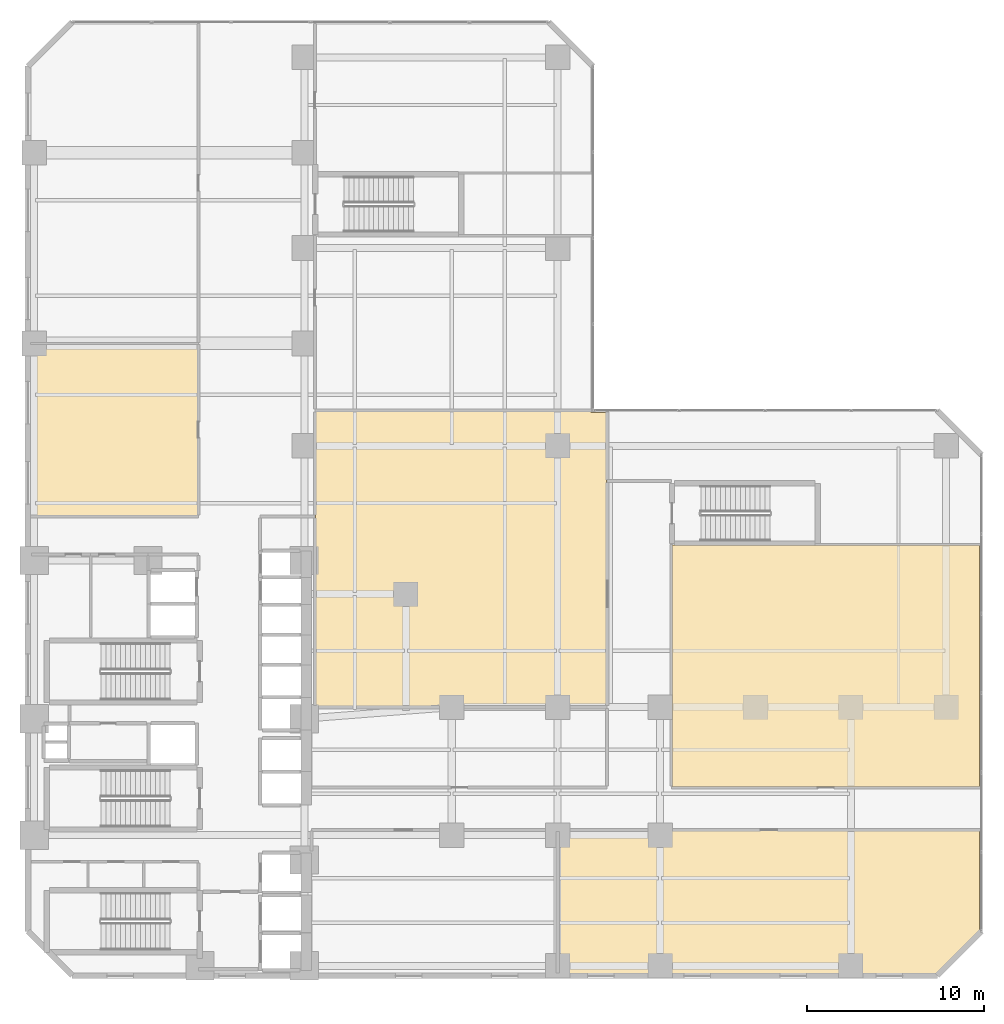
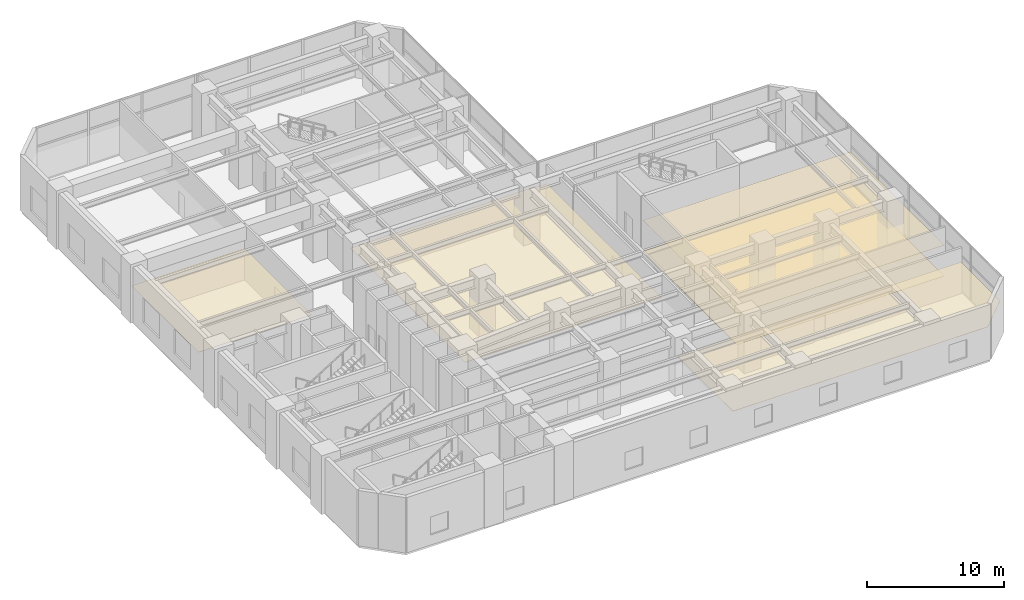
# One storey, part 19 of 22: 5 coverings.
"""IFC4 building model written with IfcOpenShell, lengths in metres."""

import ifcopenshell
import ifcopenshell.guid

model = None  # the IFC model being written
_history = None  # IfcOwnerHistory: only IFC2X3 demands one
_inside = {}  # id of a spatial element -> (the spatial element, [elements in it])
_under = {}  # id of a project, library or spatial element -> (it, [spatial elements below it])
_declared = {}  # id of a project -> (the project, [libraries it declares])
_typed = {}  # id of a type object -> (the type object, [elements of that type])
_made_of = {}  # id of a material, layer set ... -> (it, [elements and type objects made of it])


def new_model(schema):
    """Start an empty IFC model of exactly this schema.

    Asked for "IFC4X3", IfcOpenShell would pick the latest addendum, in which some entities
    have other attributes; the version numbers below select the first issue.
    IFC2X3 requires an IfcOwnerHistory on every rooted entity: one is made here for all.
    """
    global model, _history
    if schema == "IFC4X3":
        model = ifcopenshell.file(schema_version=(4, 3, 0, 0))
    else:
        model = ifcopenshell.file(schema=schema)
    _inside.clear()
    _under.clear()
    _declared.clear()
    _typed.clear()
    _made_of.clear()
    _history = None
    if model.schema == "IFC2X3":
        org = make("IfcOrganization", Name="unknown")
        user = make(
            "IfcPersonAndOrganization",
            ThePerson=make("IfcPerson", FamilyName="unknown"),
            TheOrganization=org,
        )
        app = make(
            "IfcApplication",
            ApplicationDeveloper=org,
            Version="unknown",
            ApplicationFullName="unknown",
            ApplicationIdentifier="unknown",
        )
        _history = make(
            "IfcOwnerHistory",
            OwningUser=user,
            OwningApplication=app,
            ChangeAction="ADDED",
            CreationDate=0,
        )
    return model


def make(cls, **values):
    """One entity of the class cls with the attributes given. An attribute that is None is left unset."""
    return model.create_entity(
        cls, **{name: value for name, value in values.items() if value is not None}
    )


def rooted(cls, **values):
    """An entity with a GlobalId (a new one), such as an element, a storey or a relation."""
    return make(cls, GlobalId=ifcopenshell.guid.new(), OwnerHistory=_history, **values)


def si_unit(unit_type, name, prefix=None):
    """IfcSIUnit, for example si_unit("LENGTHUNIT", "METRE", prefix="MILLI")."""
    return make("IfcSIUnit", UnitType=unit_type, Prefix=prefix, Name=name)


def assignment(units):
    """IfcUnitAssignment: the units of a project."""
    return None if units is None else make("IfcUnitAssignment", Units=units)


def point(xyz):
    """IfcCartesianPoint."""
    return None if xyz is None else make("IfcCartesianPoint", Coordinates=xyz)


def direction(xyz):
    """IfcDirection."""
    return None if xyz is None else make("IfcDirection", DirectionRatios=xyz)


def frame(location, z_axis=None, x_axis=None):
    """IfcAxis2Placement3D, a coordinate frame: its origin and axes. An axis left out is left unset."""
    return make(
        "IfcAxis2Placement3D",
        Location=point(location),
        Axis=direction(z_axis),
        RefDirection=direction(x_axis),
    )


def origin():
    """The frame at (0, 0, 0) with its axes left unset."""
    return frame((0.0, 0.0, 0.0))


def place(relative_to, where):
    """IfcLocalPlacement: puts the frame where relative to a parent placement (None: the world)."""
    return make(
        "IfcLocalPlacement", PlacementRelTo=relative_to, RelativePlacement=where
    )


def context(
    kind, dimensions, precision=None, world=None, true_north=None, identifier=None
):
    """IfcGeometricRepresentationContext, for example the 3D "Model" context."""
    return make(
        "IfcGeometricRepresentationContext",
        ContextIdentifier=identifier,
        ContextType=kind,
        CoordinateSpaceDimension=dimensions,
        Precision=precision,
        WorldCoordinateSystem=world,
        TrueNorth=true_north,
    )


def subcontext(parent, identifier, kind, view, scale=None):
    """IfcGeometricRepresentationSubContext, for example "Body" below "Model"."""
    return make(
        "IfcGeometricRepresentationSubContext",
        ContextIdentifier=identifier,
        ContextType=kind,
        ParentContext=parent,
        TargetScale=scale,
        TargetView=view,
    )


def project(units=None, contexts=None):
    """IfcProject with its units and contexts."""
    return rooted(
        "IfcProject",
        Name="project",
        RepresentationContexts=contexts,
        UnitsInContext=assignment(units),
    )


def spatial(cls, under=None, at=None, **own):
    """A site, building, storey or space (cls), placed at a placement, below another one or the project."""
    s = rooted(cls, ObjectPlacement=at, **own)
    if under is not None:
        _under.setdefault(under.id(), (under, []))[1].append(s)
    return s


def polyline(points):
    """IfcPolyline through the points."""
    return make("IfcPolyline", Points=[point(p) for p in points])


def outline(outer, holes=None, kind="AREA"):
    """IfcArbitraryClosedProfileDef: a profile drawn as a closed curve; with holes, ...WithVoids."""
    if holes is None:
        return make("IfcArbitraryClosedProfileDef", ProfileType=kind, OuterCurve=outer)
    return make(
        "IfcArbitraryProfileDefWithVoids",
        ProfileType=kind,
        OuterCurve=outer,
        InnerCurves=holes,
    )


def extrude(swept, where, along, depth):
    """IfcExtrudedAreaSolid: the profile swept, set in the frame where, extruded along a direction by depth."""
    return make(
        "IfcExtrudedAreaSolid",
        SweptArea=swept,
        Position=where,
        ExtrudedDirection=direction(along),
        Depth=depth,
    )


def shape(context_of_items, identifier, shape_type, items):
    """IfcShapeRepresentation: the items that make up one representation, for example the "Body"."""
    return make(
        "IfcShapeRepresentation",
        ContextOfItems=context_of_items,
        RepresentationIdentifier=identifier,
        RepresentationType=shape_type,
        Items=items,
    )


def material(Name=None, Category=None):
    """IfcMaterial."""
    return make("IfcMaterial", Name=Name, Category=Category)


def layer(
    of_material, thickness, ventilated=None, Name=None, Category=None, Priority=None
):
    """IfcMaterialLayer: one layer of a wall or slab, of a material (None: an air gap)."""
    return make(
        "IfcMaterialLayer",
        Material=of_material,
        LayerThickness=thickness,
        IsVentilated=ventilated,
        Name=Name,
        Category=Category,
        Priority=Priority,
    )


def layer_set(layers, Name=None):
    """IfcMaterialLayerSet."""
    return make("IfcMaterialLayerSet", MaterialLayers=layers, LayerSetName=Name)


def made_of(thing, what):
    """Note that an element or type object is made of a material, layer set ...; save() writes the relation."""
    if what is not None:
        _made_of.setdefault(what.id(), (what, []))[1].append(thing)
    return thing


def type_object(cls, material=None, **own):
    """A type object (cls), such as IfcWallType, which elements share."""
    return made_of(rooted(cls, **own), material)


def element(
    cls,
    number,
    at=None,
    inside=None,
    cuts=None,
    type_object=None,
    material=None,
    context=None,
    identifier="Body",
    shape_type=None,
    held_by="IfcProductDefinitionShape",
    body=None,
    shapes=None,
    **own,
):
    """One element of the class cls, such as IfcWall. Its Tag is "e" and its number.

    at: its placement. inside: the storey or other place that contains it. cuts: it is an
    opening in that element (IfcRelVoidsElement). A single representation is given by context,
    identifier, shape_type and body (its items); several are given by shapes. held_by: the class
    of the entity that holds the representations. save() writes the other relations.
    """
    e = rooted(cls, Tag="e%d" % number, ObjectPlacement=at, **own)
    if body is not None:
        shapes = [shape(context, identifier, shape_type, body)]
    if shapes is not None:
        e.Representation = make(held_by, Representations=shapes)
    if inside is not None:
        _inside.setdefault(inside.id(), (inside, []))[1].append(e)
    if cuts is not None:
        rooted(
            "IfcRelVoidsElement", RelatingBuildingElement=cuts, RelatedOpeningElement=e
        )
    if type_object is not None:
        _typed.setdefault(type_object.id(), (type_object, []))[1].append(e)
    return made_of(e, material)


def aggregate(whole, parts):
    """IfcRelAggregates: a whole, such as a stair, and the parts it consists of."""
    return rooted("IfcRelAggregates", RelatingObject=whole, RelatedObjects=parts)


def save(model, path):
    """Write the relations noted so far, then the file.

    IfcRelAggregates (storeys below a building ...), IfcRelContainedInSpatialStructure (elements
    in a storey), IfcRelDefinesByType, IfcRelAssociatesMaterial and IfcRelDeclares: one each for
    every whole, place, type object, material and project.
    """
    for whole, parts in _under.values():
        aggregate(whole, parts)
    for where, things in _inside.values():
        rooted(
            "IfcRelContainedInSpatialStructure",
            RelatedElements=things,
            RelatingStructure=where,
        )
    for kind, things in _typed.values():
        rooted("IfcRelDefinesByType", RelatedObjects=things, RelatingType=kind)
    for what, things in _made_of.values():
        rooted("IfcRelAssociatesMaterial", RelatedObjects=things, RelatingMaterial=what)
    for by, libraries in _declared.values():
        rooted("IfcRelDeclares", RelatingContext=by, RelatedDefinitions=libraries)
    model.write(path)


model = new_model("IFC4")

# Units and contexts
model_context = context("Model", 3, precision=1e-05, world=origin(), true_north=direction((0.0, 1.0)))
body_context = subcontext(model_context, "Body", "Model", "MODEL_VIEW")
ifc_project = project(units=[si_unit("LENGTHUNIT", "METRE"), si_unit("AREAUNIT", "SQUARE_METRE"), si_unit("VOLUMEUNIT", "CUBIC_METRE"), si_unit("PLANEANGLEUNIT", "RADIAN"), si_unit("MASSUNIT", "GRAM", prefix="KILO")], contexts=[model_context])

# Site, building, storey
site_placement = place(None, origin())
site = spatial("IfcSite", under=ifc_project, at=site_placement, CompositionType="ELEMENT")
building_placement = place(site_placement, origin())
building = spatial("IfcBuilding", under=site, at=building_placement, Name="Mawjaban Terraces University", CompositionType="ELEMENT")
storey_placement = place(building_placement, frame((0.0, 0.0, 5.199951171875)))
storey = spatial("IfcBuildingStorey", under=building, at=storey_placement, Name="L01", CompositionType="ELEMENT", Elevation=5.199951171875)

# Coverings
ifc_material_1 = material(Name="Acoustic mineral fibre ceiling tile", Category="masonry")
ifc_layer_1 = layer(ifc_material_1, 0.02001953125)
ifc_layer_set_1 = layer_set([ifc_layer_1], Name="Acoustic mineral fibre ceiling tile")
covering_type_1 = type_object("IfcCoveringType", Name="AcousticMineralCeiling_20", PredefinedType="CEILING", material=ifc_layer_set_1)
covering_1_placement = place(storey_placement, frame((0.0, 0.0, 2.75)))
element("IfcCovering", 1, at=covering_1_placement, inside=storey, type_object=covering_type_1, Name="L01 Fixed-Seat Lecture Theatre Acoustic Ceiling", PredefinedType="CEILING", context=body_context, shape_type="SweptSolid", body=[
    extrude(outline(polyline([(54.77001953125, 31.885009765625), (53.885009765625, 31.885009765625), (53.885009765625, 31.969970703125), (38.280029296875, 31.969970703125), (38.280029296875, 15.22998046875), (54.77001953125, 15.22998046875), (54.77001953125, 31.885009765625)])), origin(), (0.0, 0.0, 1.0), 0.02001953125),
])
covering_2_placement = place(storey_placement, frame((0.0, 0.0, 2.75)))
element("IfcCovering", 2, at=covering_2_placement, inside=storey, type_object=covering_type_1, Name="L01 Podium Colloquium Hall Acoustic Ceiling", PredefinedType="CEILING", context=body_context, shape_type="SweptSolid", body=[
    extrude(outline(polyline([(75.885009765625, 10.679931640625), (75.885009765625, 24.3701171875), (58.47998046875, 24.3701171875), (58.47998046875, 10.679931640625), (75.885009765625, 10.679931640625)])), origin(), (0.0, 0.0, 1.0), 0.02001953125),
])
covering_3_placement = place(storey_placement, frame((0.0, 0.0, 2.75)))
element("IfcCovering", 3, at=covering_3_placement, inside=storey, type_object=covering_type_1, Name="L01 Central Library Bookstack Hall Acoustic Ceiling", PredefinedType="CEILING", context=body_context, shape_type="SweptSolid", body=[
    extrude(outline(polyline([(22.114990234375, 35.77001953125), (22.114990234375, 26.030029296875), (31.6201171875, 26.030029296875), (31.6201171875, 35.77001953125), (22.114990234375, 35.77001953125)])), origin(), (0.0, 0.0, 1.0), 0.02001953125),
])
covering_4_placement = place(storey_placement, frame((0.0, 0.0, 2.75)))
element("IfcCovering", 4, at=covering_4_placement, inside=storey, type_object=covering_type_1, Name="L01 Instructional Media Studio Acoustic Ceiling", PredefinedType="CEILING", context=body_context, shape_type="SweptSolid", body=[
    extrude(outline(polyline([(52.030029296875, 0.114990234375), (73.452880859375, 0.114990234375), (75.885009765625, 2.547119140625), (75.885009765625, 8.219970703125), (52.030029296875, 8.219970703125), (52.030029296875, 0.114990234375)])), origin(), (0.0, 0.0, 1.0), 0.02001953125),
])
ifc_material_2 = material(Name="Polished Hijazi granite terrazzo flooring", Category="masonry")
ifc_layer_2 = layer(ifc_material_2, 0.02490234375)
ifc_layer_set_2 = layer_set([ifc_layer_2], Name="Polished Hijazi granite terrazzo flooring")
covering_type_2 = type_object("IfcCoveringType", Name="TerrazzoConcourseFlooring_25", PredefinedType="FLOORING", material=ifc_layer_set_2)
covering_5_placement = place(storey_placement, origin())
element("IfcCovering", 5, at=covering_5_placement, inside=storey, type_object=covering_type_2, Name="L01 Podium Colloquium Hall Terrazzo Flooring", PredefinedType="FLOORING", context=body_context, shape_type="SweptSolid", body=[
    extrude(outline(polyline([(75.885009765625, 10.679931640625), (75.885009765625, 24.3701171875), (58.47998046875, 24.3701171875), (58.47998046875, 10.679931640625), (75.885009765625, 10.679931640625)])), origin(), (0.0, 0.0, 1.0), 0.025146484375),
])

save(model, "model.ifc")
